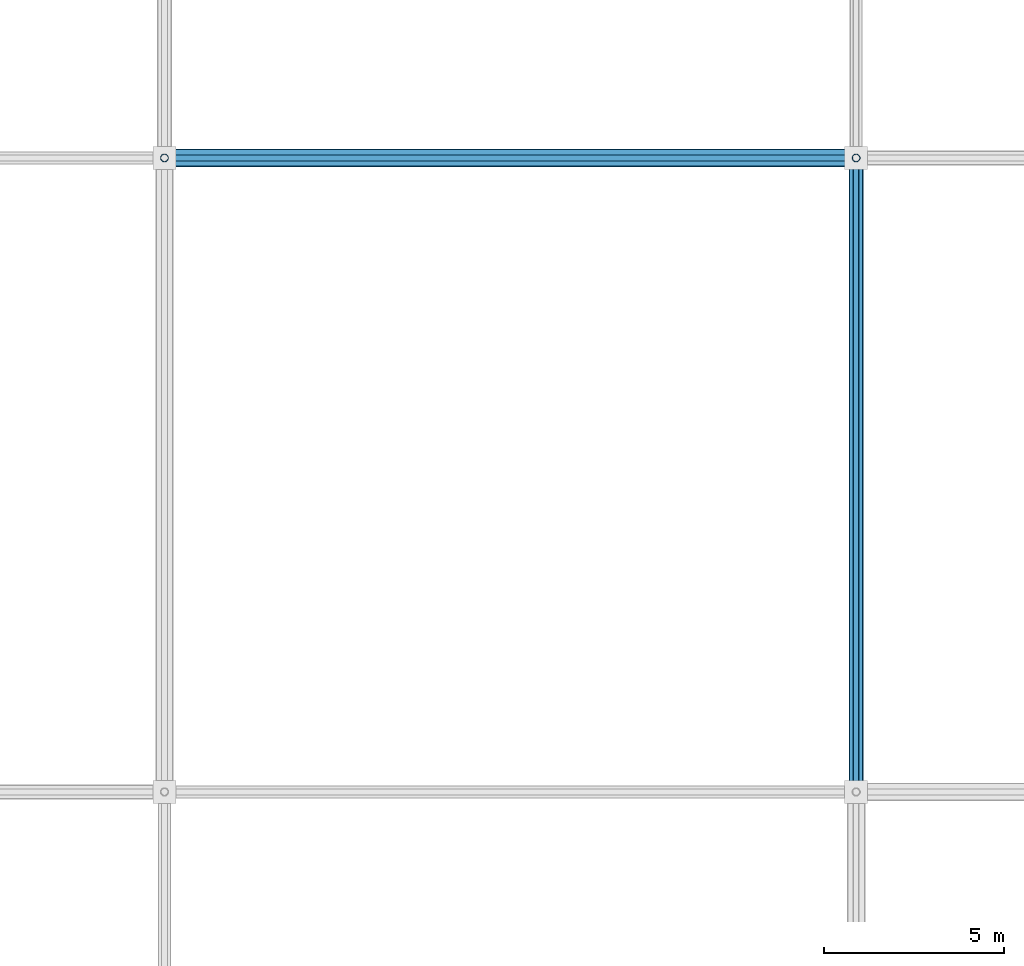
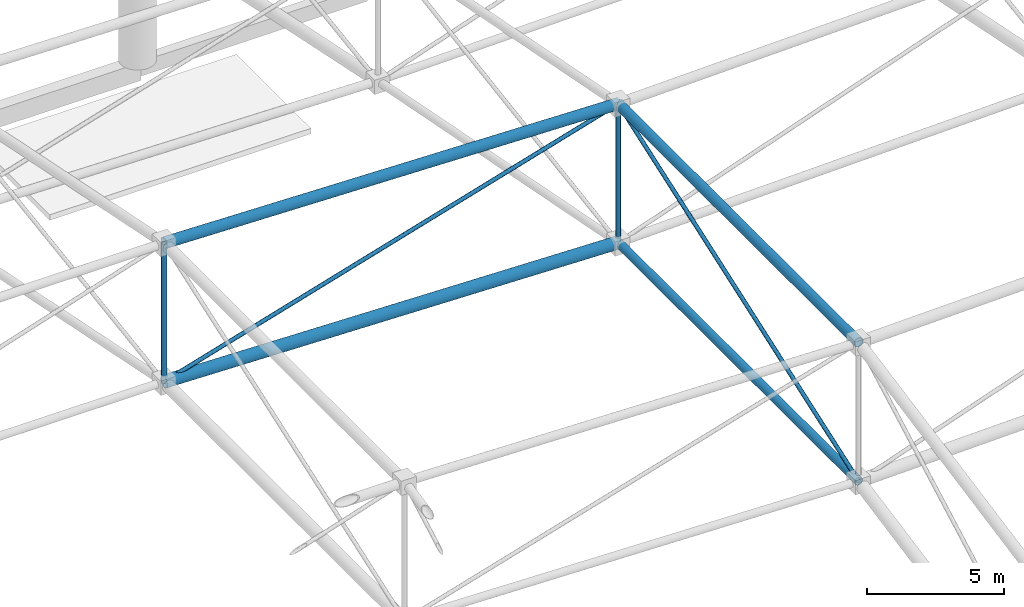
# One storey, part 58 of 193: 8 members.
"""IFC4 building model written with IfcOpenShell, lengths in metres."""

from ifc_helpers import new_model, si_unit, direction, frame, origin, origin_2d, place, context, subcontext, project, spatial, hollow_circle, extrude, material, material_profile, profile_set, type_object, element, save


model = new_model("IFC4")

# Units and contexts
model_context = context("Model", 3, precision=1e-05, world=origin(), true_north=direction((0.0, 1.0)))
body_context = subcontext(model_context, "Body", "Model", "MODEL_VIEW")
ifc_project = project(units=[si_unit("LENGTHUNIT", "METRE"), si_unit("AREAUNIT", "SQUARE_METRE"), si_unit("VOLUMEUNIT", "CUBIC_METRE"), si_unit("PLANEANGLEUNIT", "RADIAN"), si_unit("MASSUNIT", "GRAM", prefix="KILO")], contexts=[model_context])

# Site, building, storey
site_placement = place(None, origin())
site = spatial("IfcSite", under=ifc_project, at=site_placement, CompositionType="ELEMENT")
building_placement = place(site_placement, origin())
building = spatial("IfcBuilding", under=site, at=building_placement, Name="Danafjord Basin Convention Centre", CompositionType="ELEMENT")
storey_placement = place(building_placement, frame((0.0, 0.0, 11.39990234375)))
storey = spatial("IfcBuildingStorey", under=building, at=storey_placement, Name="L02", CompositionType="ELEMENT", Elevation=11.39990234375)

# Members
ifc_material = material(Name="Steel S355", Category="steel")
ifc_material_profile_1 = material_profile(ifc_material, hollow_circle(Radius=0.177734375, WallThickness=0.01611328125, at=origin_2d()), Name="CHS 355.6x16.0")
ifc_profile_set_1 = profile_set([ifc_material_profile_1], Name="Steel S355")
member_type_1 = type_object("IfcMemberType", Name="MEM-CH-CHS355", PredefinedType="CHORD", material=ifc_profile_set_1)
member_1_placement = place(storey_placement, frame((57.60009765625, 91.199951171875, 13.160400390625), z_axis=(0.0, 1.0, 0.0), x_axis=(-1.0, 0.0, 0.0)))
element("IfcMember", 1, at=member_1_placement, inside=storey, type_object=member_type_1, Name="V1 roof truss transverse bottom chord", PredefinedType="CHORD", context=body_context, shape_type="SweptSolid", body=[
    extrude(hollow_circle(Radius=0.177734375, WallThickness=0.01611328125, at=origin_2d()), origin(), (0.0, 0.0, 1.0), 17.60009765625),
])
ifc_material_profile_2 = material_profile(ifc_material, hollow_circle(Radius=0.203125, WallThickness=0.02001953125, at=origin_2d()), Name="CHS 406.4x20.0")
ifc_profile_set_2 = profile_set([ifc_material_profile_2], Name="Steel S355")
member_type_2 = type_object("IfcMemberType", Name="MEM-CH-CHS406", PredefinedType="CHORD", material=ifc_profile_set_2)
member_2_placement = place(storey_placement, frame((57.60009765625, 91.199951171875, 19.360595703125), z_axis=(0.0, 1.0, 0.0), x_axis=(-1.0, 0.0, 0.0)))
element("IfcMember", 2, at=member_2_placement, inside=storey, type_object=member_type_2, Name="V1 roof truss transverse top chord", PredefinedType="CHORD", context=body_context, shape_type="SweptSolid", body=[
    extrude(hollow_circle(Radius=0.203125, WallThickness=0.02001953125, at=origin_2d()), origin(), (0.0, 0.0, 1.0), 17.60009765625),
])
ifc_material_profile_3 = material_profile(ifc_material, hollow_circle(Radius=0.228515625, WallThickness=0.02001953125, at=origin_2d()), Name="CHS 457.0x20.0")
ifc_profile_set_3 = profile_set([ifc_material_profile_3], Name="Steel S355")
member_type_3 = type_object("IfcMemberType", Name="MEM-CH-CHS457", PredefinedType="CHORD", material=ifc_profile_set_3)
member_3_placement = place(storey_placement, frame((38.39990234375, 108.800048828125, 19.85546875), z_axis=(0.999668006183, 0.0, -0.025765818734), x_axis=(0.0, 1.0, 0.0)))
element("IfcMember", 3, at=member_3_placement, inside=storey, type_object=member_type_3, Name="V1 roof truss longitudinal top chord", PredefinedType="CHORD", context=body_context, shape_type="SweptSolid", body=[
    extrude(hollow_circle(Radius=0.228515625, WallThickness=0.02001953125, at=origin_2d()), origin(), (0.0, 0.0, 1.0), 19.20654296875),
])
ifc_material_profile_4 = material_profile(ifc_material, hollow_circle(Radius=0.25390625, WallThickness=0.02490234375, at=origin_2d()), Name="CHS 508.0x25.0")
ifc_profile_set_4 = profile_set([ifc_material_profile_4], Name="Steel S355")
member_type_4 = type_object("IfcMemberType", Name="MEM-CH-CHS508", PredefinedType="CHORD", material=ifc_profile_set_4)
member_4_placement = place(storey_placement, frame((38.39990234375, 108.800048828125, 13.655517578125), z_axis=(0.999667678693, 0.0, -0.025778521596), x_axis=(0.0, 1.0, 0.0)))
element("IfcMember", 4, at=member_4_placement, inside=storey, type_object=member_type_4, Name="V1 roof truss longitudinal bottom chord", PredefinedType="CHORD", context=body_context, shape_type="SweptSolid", body=[
    extrude(hollow_circle(Radius=0.25390625, WallThickness=0.02490234375, at=origin_2d()), origin(), (0.0, 0.0, 1.0), 19.20654296875),
])
ifc_material_profile_5 = material_profile(ifc_material, hollow_circle(Radius=0.109619140625, WallThickness=0.010009765625, at=origin_2d()), Name="CHS 219.1x10.0")
ifc_profile_set_5 = profile_set([ifc_material_profile_5], Name="Steel S355")
member_type_5 = type_object("IfcMemberType", Name="MEM-ST-CHS219", PredefinedType="STRUT", material=ifc_profile_set_5)
member_5_placement = place(storey_placement, frame((38.39990234375, 108.800048828125, 13.655517578125), z_axis=(0.0, 0.0, 1.0), x_axis=(1.0, 0.0, 0.0)))
element("IfcMember", 5, at=member_5_placement, inside=storey, type_object=member_type_5, Name="V1 roof truss vertical strut", PredefinedType="STRUT", context=body_context, shape_type="SweptSolid", body=[
    extrude(hollow_circle(Radius=0.109619140625, WallThickness=0.010009765625, at=origin_2d()), origin(), (0.0, 0.0, 1.0), 6.199951171875),
])
member_6_placement = place(storey_placement, frame((57.60009765625, 108.800048828125, 13.160400390625), z_axis=(0.0, 0.0, 1.0), x_axis=(1.0, 0.0, 0.0)))
element("IfcMember", 6, at=member_6_placement, inside=storey, type_object=member_type_5, Name="V1 roof truss vertical strut", PredefinedType="STRUT", context=body_context, shape_type="SweptSolid", body=[
    extrude(hollow_circle(Radius=0.109619140625, WallThickness=0.010009765625, at=origin_2d()), origin(), (0.0, 0.0, 1.0), 6.2001953125),
])
ifc_material_profile_6 = material_profile(ifc_material, hollow_circle(Radius=0.084228515625, WallThickness=0.008056640625, at=origin_2d()), Name="CHS 168.3x8.0")
ifc_profile_set_6 = profile_set([ifc_material_profile_6], Name="Steel S355")
member_type_6 = type_object("IfcMemberType", Name="MEM-WB-CHS168", PredefinedType="MEMBER", material=ifc_profile_set_6)
member_7_placement = place(storey_placement, frame((38.39990234375, 108.800048828125, 13.655517578125), z_axis=(0.958578458634, 0.0, 0.284828612753), x_axis=(0.0, 1.0, 0.0)))
element("IfcMember", 7, at=member_7_placement, inside=storey, type_object=member_type_6, Name="V1 space-frame longitudinal web", PredefinedType="MEMBER", context=body_context, shape_type="SweptSolid", body=[
    extrude(hollow_circle(Radius=0.084228515625, WallThickness=0.008056640625, at=origin_2d()), origin(), (0.0, 0.0, 1.0), 20.02978515625),
])
member_8_placement = place(storey_placement, frame((57.60009765625, 91.199951171875, 13.160400390625), z_axis=(0.0, 0.943185336152, 0.332267093868), x_axis=(-1.0, 0.0, 0.0)))
element("IfcMember", 8, at=member_8_placement, inside=storey, type_object=member_type_6, Name="V1 space-frame transverse web", PredefinedType="MEMBER", context=body_context, shape_type="SweptSolid", body=[
    extrude(hollow_circle(Radius=0.084228515625, WallThickness=0.008056640625, at=origin_2d()), origin(), (0.0, 0.0, 1.0), 18.66015625),
])

save(model, "model.ifc")
